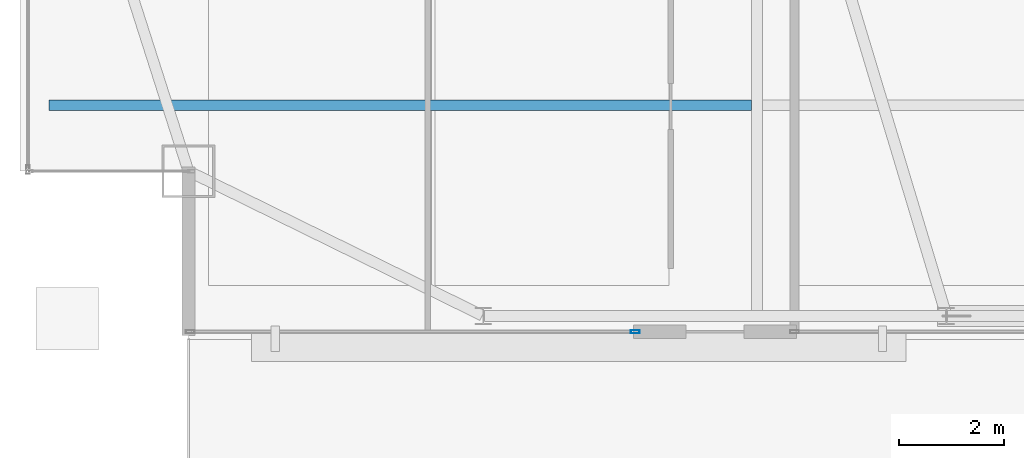
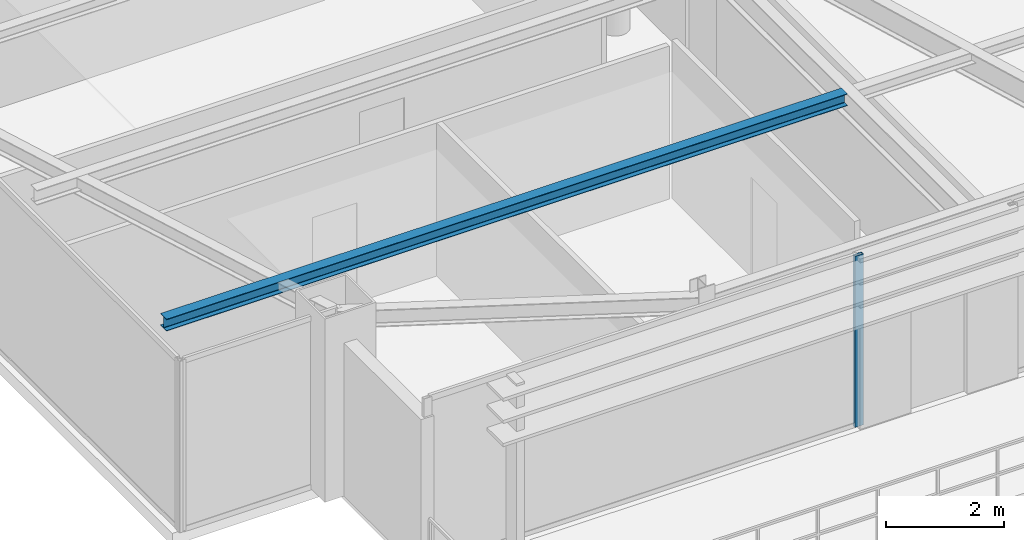
# One storey, part 4 of 25: 1 beam, 1 member, 1 element without a shape of its own.
"""IFC4 building model written with IfcOpenShell, lengths in metres."""

from ifc_helpers import new_model, si_unit, direction, frame, origin, origin_2d, place, context, subcontext, project, spatial, hollow_rectangle, i_section, extrude, source, transform, mapped, material, layer, layer_set, material_profile, profile_set, type_object, type_shapes, element, aggregate, save


model = new_model("IFC4")

# Units and contexts
model_context = context("Model", 3, precision=1e-05, world=origin(), true_north=direction((0.0, 1.0)))
body_context = subcontext(model_context, "Body", "Model", "MODEL_VIEW")
ifc_project = project(units=[si_unit("LENGTHUNIT", "METRE"), si_unit("AREAUNIT", "SQUARE_METRE"), si_unit("VOLUMEUNIT", "CUBIC_METRE"), si_unit("PLANEANGLEUNIT", "RADIAN"), si_unit("MASSUNIT", "GRAM", prefix="KILO")], contexts=[model_context])

# Site, building, storey
site_placement = place(None, origin())
site = spatial("IfcSite", under=ifc_project, at=site_placement, CompositionType="ELEMENT")
building_placement = place(site_placement, origin())
building = spatial("IfcBuilding", under=site, at=building_placement, Name="Varnel Quay Broadcast Tower", CompositionType="ELEMENT")
storey_placement = place(building_placement, frame((0.0, 0.0, 258.39990234375)))
storey = spatial("IfcBuildingStorey", under=building, at=storey_placement, Name="L64", CompositionType="ELEMENT", Elevation=258.39990234375)

# Beam
ifc_material_1 = material(Name="Structural Steel CSA G40.21 350W", Category="steel")
ifc_material_profile_1 = material_profile(ifc_material_1, i_section(OverallWidth=0.201904296875, OverallDepth=0.2470703125, WebThickness=0.00732421875, FlangeThickness=0.010986328125, FilletRadius=0.010986328125, at=origin_2d()), Name="W250X49")
ifc_profile_set_1 = profile_set([ifc_material_profile_1], Name="Structural Steel CSA G40.21 350W")
beam_type = type_object("IfcBeamType", Name="Beam_W250X49", PredefinedType="JOIST", material=ifc_profile_set_1)
shared_shape_1 = source(origin(), body_context, "Body", "SweptSolid", [
    extrude(i_section(OverallWidth=0.201904296875, OverallDepth=0.2470703125, WebThickness=0.00732421875, FlangeThickness=0.010986328125, FilletRadius=0.010986328125, at=origin_2d()), origin(), (0.0, 0.0, 1.0), 13.351318359375),
])
type_shapes(beam_type, [shared_shape_1])
beam_placement = place(storey_placement, frame((12.547607421875, 17.64990234375, 3.426513671875), z_axis=(1.0, 0.0, 0.0), x_axis=(0.0, 1.0, 0.0)))
element("IfcBeam", 1, at=beam_placement, inside=storey, type_object=beam_type, Name="L64 West Floor Joist 1", PredefinedType="JOIST", context=body_context, shape_type="MappedRepresentation", body=[
    mapped(shared_shape_1, transform((0.0, 0.0, 0.0), x_axis=(1.0, 0.0, 0.0), y_axis=(0.0, 1.0, 0.0), z_axis=(0.0, 0.0, 1.0), scale=1.0)),
])

# Curtain wall, member
ifc_material_2 = material(Name="Anodised Bronze Aluminium 6063-T6", Category="aluminium")
ifc_layer = layer(ifc_material_2, 0.18994140625, Name="Anodised Bronze Aluminium 6063-T6")
ifc_layer_set = layer_set([ifc_layer], Name="Anodised Bronze Aluminium 6063-T6")
curtain_wall_type = type_object("IfcCurtainWallType", Name="CW_UpperTower", PredefinedType="NOTDEFINED", material=ifc_layer_set)
curtain_wall_placement = place(storey_placement, origin())
curtain_wall = element("IfcCurtainWall", 2, at=curtain_wall_placement, inside=storey, type_object=curtain_wall_type, Name="L64 South Unitised Curtain Wall 1", PredefinedType="NOTDEFINED")
ifc_material_profile_2 = material_profile(ifc_material_2, hollow_rectangle(XDim=0.06494140625, YDim=0.1650390625, WallThickness=0.00341796875, at=origin_2d()), Name="ALU65X165X3.5")
ifc_profile_set_2 = profile_set([ifc_material_profile_2], Name="Anodised Bronze Aluminium 6063-T6")
member_type = type_object("IfcMemberType", Name="Mull_CWS-03", PredefinedType="MULLION", material=ifc_profile_set_2)
shared_shape_2 = source(origin(), body_context, "Body", "SweptSolid", [
    extrude(hollow_rectangle(XDim=0.06494140625, YDim=0.1650390625, WallThickness=0.00341796875, at=origin_2d()), origin(), (0.0, 0.0, 1.0), 3.550048828125),
])
type_shapes(member_type, [shared_shape_2])
member_placement = place(storey_placement, frame((23.6875, 13.35009765625, 0.0), z_axis=(0.0, 0.0, 1.0), x_axis=(0.0, 1.0, 0.0)))
member = element("IfcMember", 3, at=member_placement, type_object=member_type, Name="CWS-03 mullion 2", PredefinedType="MULLION", context=body_context, shape_type="MappedRepresentation", body=[
    mapped(shared_shape_2, transform((0.0, 0.0, 0.0), x_axis=(1.0, 0.0, 0.0), y_axis=(0.0, 1.0, 0.0), z_axis=(0.0, 0.0, 1.0), scale=1.0)),
])
aggregate(curtain_wall, [member])

save(model, "model.ifc")
